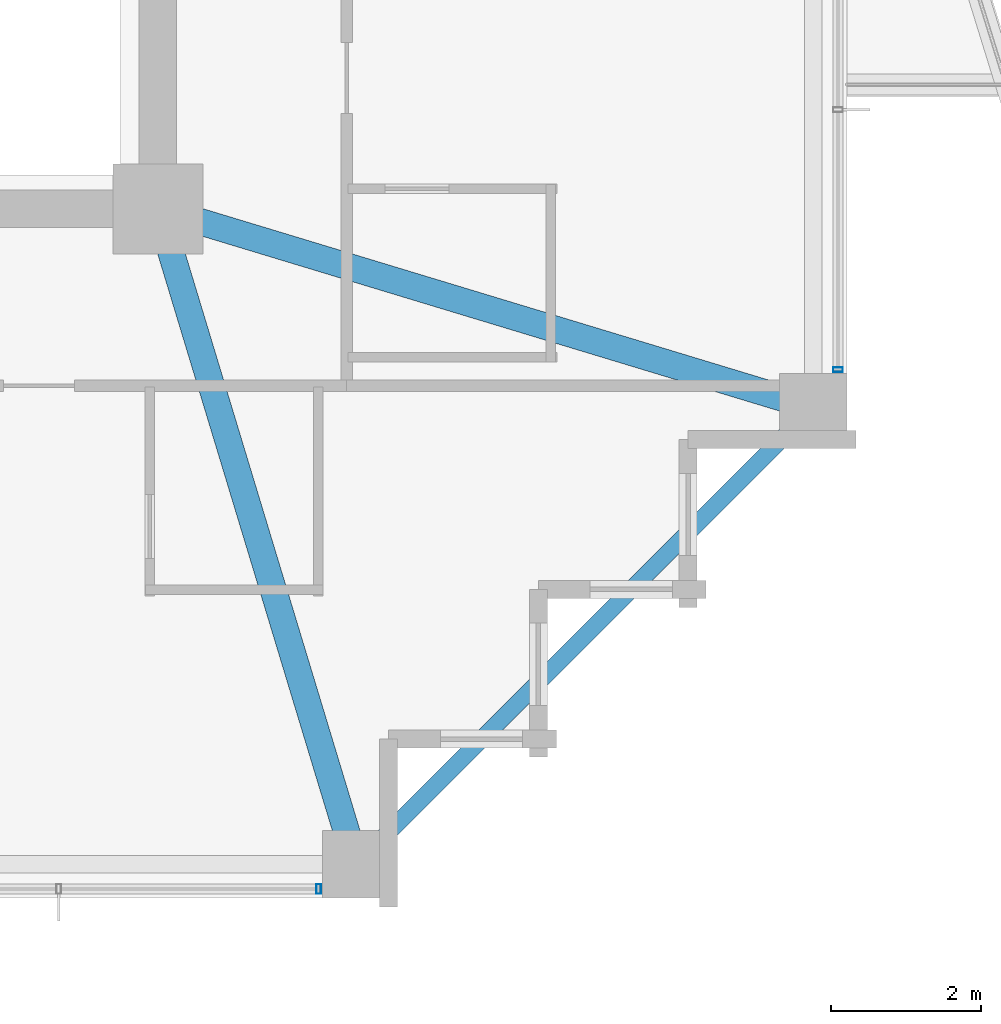
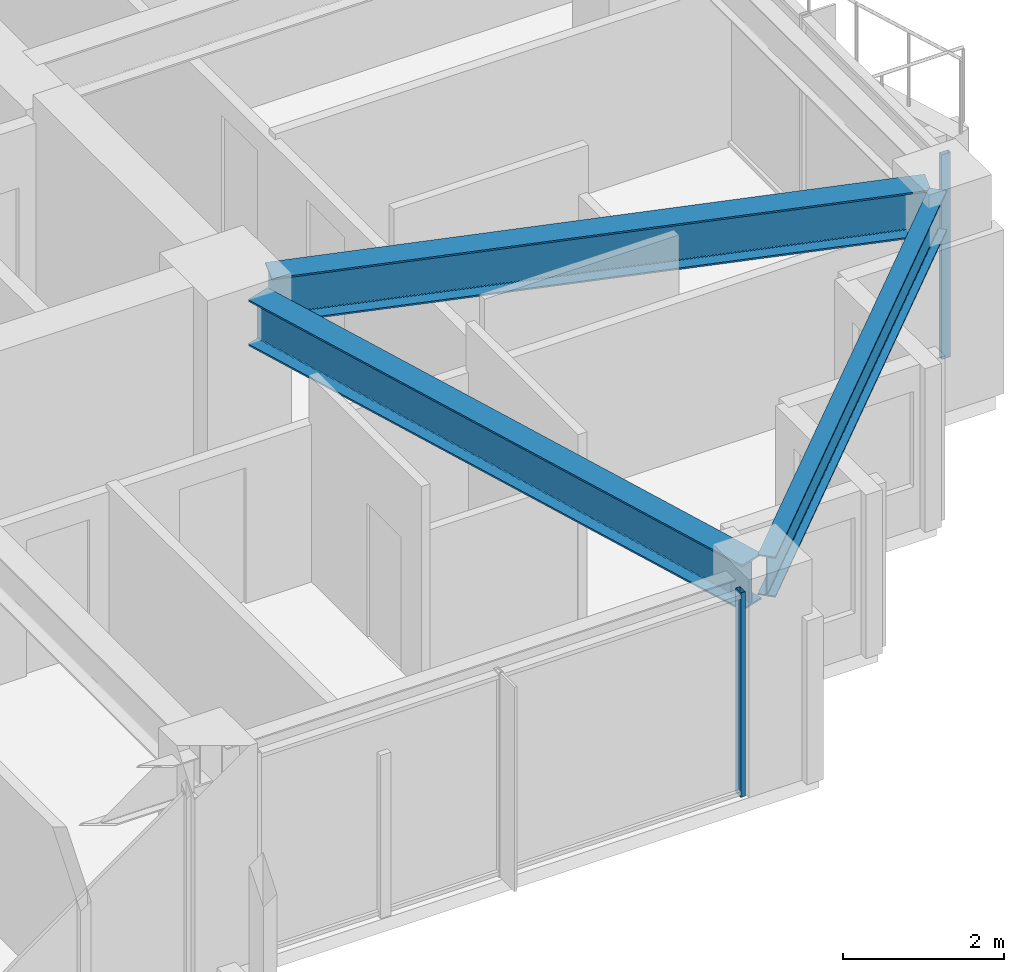
# One storey, part 14 of 37: 3 beams, 2 members, 2 elements without a shape of their own.
"""IFC4 building model written with IfcOpenShell, lengths in metres."""

from ifc_helpers import new_model, si_unit, direction, frame, origin, origin_2d, place, context, subcontext, project, spatial, hollow_rectangle, i_section, extrude, material, material_profile, profile_set, type_object, element, aggregate, save


model = new_model("IFC4")

# Units and contexts
model_context = context("Model", 3, precision=1e-05, world=origin(), true_north=direction((0.0, 1.0)))
body_context = subcontext(model_context, "Body", "Model", "MODEL_VIEW")
ifc_project = project(units=[si_unit("LENGTHUNIT", "METRE"), si_unit("AREAUNIT", "SQUARE_METRE"), si_unit("VOLUMEUNIT", "CUBIC_METRE"), si_unit("PLANEANGLEUNIT", "RADIAN"), si_unit("MASSUNIT", "GRAM", prefix="KILO")], contexts=[model_context])

# Site, building, storey
site_placement = place(None, origin())
site = spatial("IfcSite", under=ifc_project, at=site_placement, CompositionType="ELEMENT")
building_placement = place(site_placement, origin())
building = spatial("IfcBuilding", under=site, at=building_placement, Name="Kolvaren Belvedere", CompositionType="ELEMENT")
storey_placement = place(building_placement, frame((0.0, 0.0, 156.89990234375)))
storey = spatial("IfcBuildingStorey", under=building, at=storey_placement, Name="L45", CompositionType="ELEMENT", Elevation=156.89990234375)

# Beams
ifc_material_1 = material(Name="Structural steel ASTM A992 Grade 50", Category="steel")
ifc_material_profile_1 = material_profile(ifc_material_1, i_section(OverallWidth=0.35498046875, OverallDepth=0.696044921875, WebThickness=0.015380859375, FlangeThickness=0.02490234375, FilletRadius=0.02197265625, at=origin_2d()), Name="W27X146")
ifc_profile_set_1 = profile_set([ifc_material_profile_1], Name="Structural steel ASTM A992 Grade 50")
beam_type_1 = type_object("IfcBeamType", Name="BM-GIRD-W27X146", PredefinedType="BEAM", material=ifc_profile_set_1)
for number, where, z_axis, x_axis, name in (
    (1, (10.059326171875, -10.426513671875, 2.752197265625), (0.289865629086, -0.957067352423, 0.0), (0.957067352423, 0.289865629086, 0.0), "L45 Corner Core-to-Perimeter Girder CC2-S4"),
    (2, (10.426513671875, -10.059326171875, 2.752197265625), (0.957067352423, -0.289865629086, 0.0), (0.289865629086, 0.957067352423, 0.0), "L45 Corner Core-to-Perimeter Girder CC2-E1"),
):
    element("IfcBeam", number, at=place(storey_placement, frame(where, z_axis=z_axis, x_axis=x_axis)), inside=storey, type_object=beam_type_1, Name=name, PredefinedType="BEAM", context=body_context, shape_type="SweptSolid", body=[
        extrude(i_section(OverallWidth=0.35498046875, OverallDepth=0.696044921875, WebThickness=0.015380859375, FlangeThickness=0.02490234375, FilletRadius=0.02197265625, at=origin_2d()), origin(), (0.0, 0.0, 1.0), 8.412353515625),
    ])
ifc_material_2 = material(Name="Structural steel ASTM A992 Grade 50", Category="steel")
ifc_material_profile_2 = material_profile(ifc_material_2, i_section(OverallWidth=0.22900390625, OverallDepth=0.612060546875, WebThickness=0.011962890625, FlangeThickness=0.01953125, FilletRadius=0.01806640625, at=origin_2d()), Name="W24X84")
ifc_profile_set_2 = profile_set([ifc_material_profile_2], Name="Structural steel ASTM A992 Grade 50")
beam_type_2 = type_object("IfcBeamType", Name="BM-SPAN-W24X84", PredefinedType="SPANDREL", material=ifc_profile_set_2)
beam_placement = place(storey_placement, frame((12.693115234375, -18.5068359375, 2.794189453125), z_axis=(0.707106781187, 0.707106781187, 0.0), x_axis=(-0.707106781187, 0.707106781187, 0.0)))
element("IfcBeam", 3, at=beam_placement, inside=storey, type_object=beam_type_2, Name="L45 Perimeter Spandrel S4-E1", PredefinedType="SPANDREL", context=body_context, shape_type="SweptSolid", body=[
    extrude(i_section(OverallWidth=0.22900390625, OverallDepth=0.612060546875, WebThickness=0.011962890625, FlangeThickness=0.01953125, FilletRadius=0.01806640625, at=origin_2d()), origin(), (0.0, 0.0, 1.0), 8.221923828125),
])

# Curtain wall, member
ifc_material_3 = material(Name="Anodised pale-metal aluminium AA 6063-T6", Category="aluminium")
curtain_wall_type = type_object("IfcCurtainWallType", Name="CW-Z3-WAIST", PredefinedType="NOTDEFINED", material=ifc_material_3)
curtain_wall_1_placement = place(storey_placement, origin())
curtain_wall_1 = element("IfcCurtainWall", 4, at=curtain_wall_1_placement, inside=storey, type_object=curtain_wall_type, Name="L45 Unitised Curtain Wall FCW-L45-S-B1", PredefinedType="NOTDEFINED")
ifc_material_4 = material(Name="Anodised pale-metal aluminium AA 6063-T6", Category="aluminium")
ifc_material_profile_3 = material_profile(ifc_material_4, hollow_rectangle(XDim=0.06494140625, YDim=0.1298828125, WallThickness=0.00390625, at=origin_2d()), Name="ALU-MUL-130X65")
ifc_profile_set_3 = profile_set([ifc_material_profile_3], Name="Anodised pale-metal aluminium AA 6063-T6")
member_type = type_object("IfcMemberType", Name="CW-MUL-130", PredefinedType="MULLION", material=ifc_profile_set_3)
member_1_placement = place(storey_placement, frame((12.047607421875, -18.97998046875, 0.0), z_axis=(0.0, 0.0, 1.0), x_axis=(1.0, 0.0, 0.0)))
member_1 = element("IfcMember", 5, at=member_1_placement, type_object=member_type, Name="FCW-L45-S-B1 Unitised Mullion 1", PredefinedType="MULLION", context=body_context, shape_type="SweptSolid", body=[
    extrude(hollow_rectangle(XDim=0.06494140625, YDim=0.1298828125, WallThickness=0.00390625, at=origin_2d()), origin(), (0.0, 0.0, 1.0), 3.10009765625),
])
aggregate(curtain_wall_1, [member_1])

curtain_wall_2_placement = place(storey_placement, origin())
curtain_wall_2 = element("IfcCurtainWall", 6, at=curtain_wall_2_placement, inside=storey, type_object=curtain_wall_type, Name="L45 Unitised Curtain Wall FCW-L45-E2-B2", PredefinedType="NOTDEFINED")
member_2_placement = place(storey_placement, frame((18.97998046875, -12.047607421875, 0.0), z_axis=(0.0, 0.0, 1.0), x_axis=(0.0, 1.0, 0.0)))
member_2 = element("IfcMember", 7, at=member_2_placement, type_object=member_type, Name="FCW-L45-E2-B2 Unitised Mullion 3", PredefinedType="MULLION", context=body_context, shape_type="SweptSolid", body=[
    extrude(hollow_rectangle(XDim=0.06494140625, YDim=0.1298828125, WallThickness=0.00390625, at=origin_2d()), origin(), (0.0, 0.0, 1.0), 3.10009765625),
])
aggregate(curtain_wall_2, [member_2])

save(model, "model.ifc")
